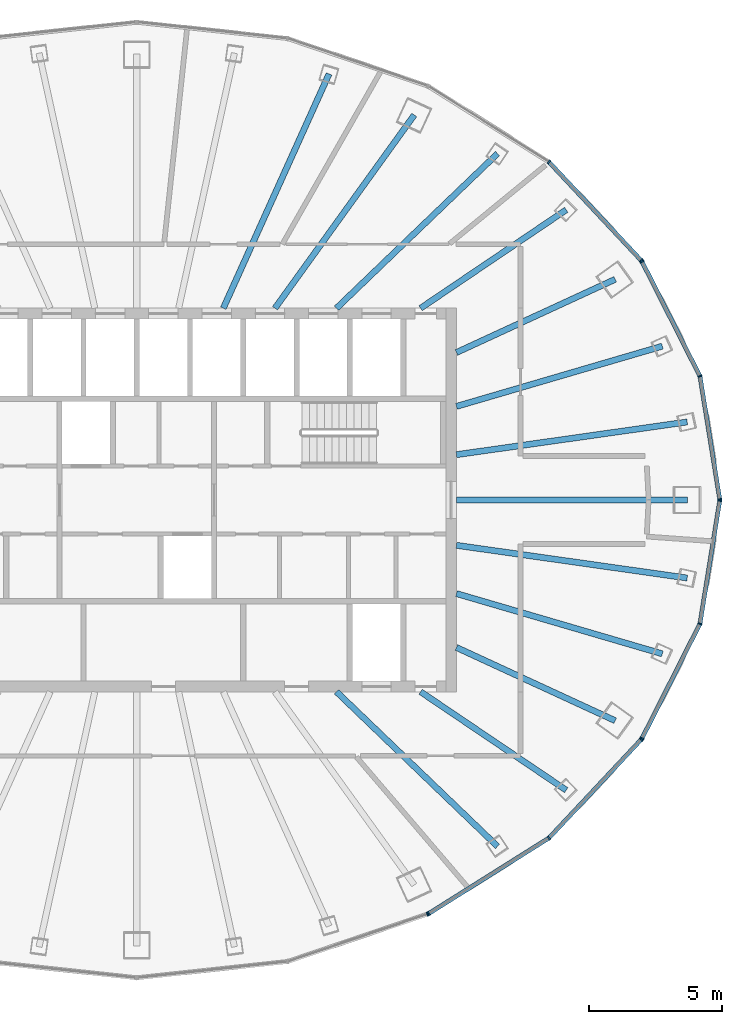
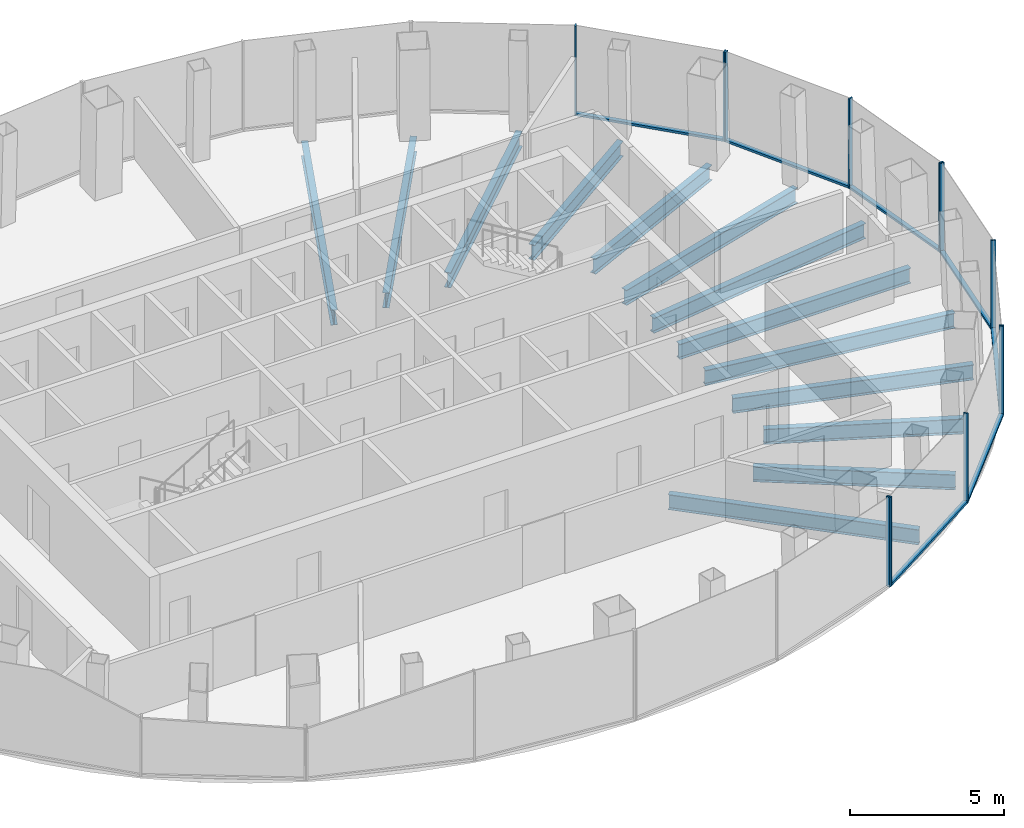
# One storey, part 5 of 11: 19 members, 13 beams, 5 elements without a shape of their own.
"""IFC4 building model written with IfcOpenShell, lengths in metres."""

from ifc_helpers import new_model, si_unit, direction, frame, origin, origin_2d, place, context, subcontext, project, spatial, rectangle, i_section, extrude, material, layer, layer_set, material_profile, profile_set, type_object, element, aggregate, save


model = new_model("IFC4")

# Units and contexts
model_context = context("Model", 3, precision=1e-05, world=origin(), true_north=direction((0.0, 1.0)))
body_context = subcontext(model_context, "Body", "Model", "MODEL_VIEW")
ifc_project = project(units=[si_unit("LENGTHUNIT", "METRE"), si_unit("AREAUNIT", "SQUARE_METRE"), si_unit("VOLUMEUNIT", "CUBIC_METRE"), si_unit("PLANEANGLEUNIT", "RADIAN"), si_unit("MASSUNIT", "GRAM", prefix="KILO")], contexts=[model_context])

# Site, building, storey
site_placement = place(None, origin())
site = spatial("IfcSite", under=ifc_project, at=site_placement, CompositionType="ELEMENT")
building_placement = place(site_placement, origin())
building = spatial("IfcBuilding", under=site, at=building_placement, Name="Siaravel Broadcast Tower", CompositionType="ELEMENT")
storey_placement = place(building_placement, frame((0.0, 0.0, 224.5)))
storey = spatial("IfcBuildingStorey", under=building, at=storey_placement, Name="L54", CompositionType="ELEMENT", Elevation=224.5)

# Beams
ifc_material_1 = material(Name="Steel S355", Category="steel")
ifc_material_profile_1 = material_profile(ifc_material_1, i_section(OverallWidth=0.2275390625, OverallDepth=0.6025390625, WebThickness=0.010498046875, FlangeThickness=0.014892578125, FilletRadius=0.0126953125, at=origin_2d()))
ifc_profile_set_1 = profile_set([ifc_material_profile_1], Name="Steel S355")
beam_type = type_object("IfcBeamType", Name="BM-UB 610x229x101", PredefinedType="BEAM", material=ifc_profile_set_1)
beam_1_placement = place(storey_placement, frame((20.672119140625, 0.0, -0.451416015625), z_axis=(-1.0, 0.0, 0.0), x_axis=(0.0, -1.0, 0.0)))
element("IfcBeam", 1, at=beam_1_placement, inside=storey, type_object=beam_type, Name="Radial beam RB01", PredefinedType="BEAM", context=body_context, shape_type="SweptSolid", body=[
    extrude(i_section(OverallWidth=0.2275390625, OverallDepth=0.6025390625, WebThickness=0.010498046875, FlangeThickness=0.014892578125, FilletRadius=0.0126953125, at=origin_2d()), origin(), (0.0, 0.0, 1.0), 8.672119140625),
])
beam_2_placement = place(storey_placement, frame((20.6591796875, 2.928466796875, -0.451416015625), z_axis=(-0.990100782, -0.140358259, 0.0), x_axis=(0.140358259, -0.990100782, 0.0)))
element("IfcBeam", 2, at=beam_2_placement, inside=storey, type_object=beam_type, Name="Radial beam RB02", PredefinedType="BEAM", context=body_context, shape_type="SweptSolid", body=[
    extrude(i_section(OverallWidth=0.2275390625, OverallDepth=0.6025390625, WebThickness=0.010498046875, FlangeThickness=0.014892578125, FilletRadius=0.0126953125, at=origin_2d()), origin(), (0.0, 0.0, 1.0), 8.745849609375),
])
beam_3_placement = place(storey_placement, frame((19.72802734375, 5.774658203125, -0.451416015625), z_axis=(-0.959734018, -0.280910333, 0.0), x_axis=(0.280910333, -0.959734018, 0.0)))
element("IfcBeam", 3, at=beam_3_placement, inside=storey, type_object=beam_type, Name="Radial beam RB03", PredefinedType="BEAM", context=body_context, shape_type="SweptSolid", body=[
    extrude(i_section(OverallWidth=0.2275390625, OverallDepth=0.6025390625, WebThickness=0.010498046875, FlangeThickness=0.014892578125, FilletRadius=0.0126953125, at=origin_2d()), origin(), (0.0, 0.0, 1.0), 8.05224609375),
])
beam_4_placement = place(storey_placement, frame((17.9560546875, 8.283203125, -0.451416015625), z_axis=(-0.908039983, -0.418883504, 0.0), x_axis=(0.418883504, -0.908039983, 0.0)))
element("IfcBeam", 4, at=beam_4_placement, inside=storey, type_object=beam_type, Name="Radial beam RB04", PredefinedType="BEAM", context=body_context, shape_type="SweptSolid", body=[
    extrude(i_section(OverallWidth=0.2275390625, OverallDepth=0.6025390625, WebThickness=0.010498046875, FlangeThickness=0.014892578125, FilletRadius=0.0126953125, at=origin_2d()), origin(), (0.0, 0.0, 1.0), 6.559326171875),
])
beam_5_placement = place(storey_placement, frame((16.11962890625, 10.890869140625, -0.451416015625), z_axis=(-0.828604754, -0.559834048, 0.0), x_axis=(0.559834048, -0.828604754, 0.0)))
element("IfcBeam", 5, at=beam_5_placement, inside=storey, type_object=beam_type, Name="Radial beam RB05", PredefinedType="BEAM", context=body_context, shape_type="SweptSolid", body=[
    extrude(i_section(OverallWidth=0.2275390625, OverallDepth=0.6025390625, WebThickness=0.010498046875, FlangeThickness=0.014892578125, FilletRadius=0.0126953125, at=origin_2d()), origin(), (0.0, 0.0, 1.0), 6.5927734375),
])
beam_6_placement = place(storey_placement, frame((13.541748046875, 13.002197265625, -0.451416015625), z_axis=(-0.721327918, -0.692593701, 0.0), x_axis=(0.692593701, -0.721327918, 0.0)))
element("IfcBeam", 6, at=beam_6_placement, inside=storey, type_object=beam_type, Name="Radial beam RB06", PredefinedType="BEAM", context=body_context, shape_type="SweptSolid", body=[
    extrude(i_section(OverallWidth=0.2275390625, OverallDepth=0.6025390625, WebThickness=0.010498046875, FlangeThickness=0.014892578125, FilletRadius=0.0126953125, at=origin_2d()), origin(), (0.0, 0.0, 1.0), 8.37744140625),
])
beam_7_placement = place(storey_placement, frame((10.415771484375, 14.4501953125, -0.451416015625), z_axis=(-0.58473929, -0.811221279, 0.0), x_axis=(0.811221279, -0.58473929, 0.0)))
element("IfcBeam", 7, at=beam_7_placement, inside=storey, type_object=beam_type, Name="Radial beam RB07", PredefinedType="BEAM", context=body_context, shape_type="SweptSolid", body=[
    extrude(i_section(OverallWidth=0.2275390625, OverallDepth=0.6025390625, WebThickness=0.010498046875, FlangeThickness=0.014892578125, FilletRadius=0.0126953125, at=origin_2d()), origin(), (0.0, 0.0, 1.0), 8.9375),
])
beam_8_placement = place(storey_placement, frame((7.218017578125, 15.99169921875, -0.451416015625), z_axis=(-0.41139683, -0.911456334, 0.0), x_axis=(0.911456334, -0.41139683, 0.0)))
element("IfcBeam", 8, at=beam_8_placement, inside=storey, type_object=beam_type, Name="Radial beam RB08", PredefinedType="BEAM", context=body_context, shape_type="SweptSolid", body=[
    extrude(i_section(OverallWidth=0.2275390625, OverallDepth=0.6025390625, WebThickness=0.010498046875, FlangeThickness=0.014892578125, FilletRadius=0.0126953125, at=origin_2d()), origin(), (0.0, 0.0, 1.0), 9.645751953125),
])
beam_9_placement = place(storey_placement, frame((13.541748046875, -13.002197265625, -0.451416015625), z_axis=(-0.721327918, 0.692593701, 0.0), x_axis=(-0.692593701, -0.721327918, 0.0)))
element("IfcBeam", 9, at=beam_9_placement, inside=storey, type_object=beam_type, Name="Radial beam RB32", PredefinedType="BEAM", context=body_context, shape_type="SweptSolid", body=[
    extrude(i_section(OverallWidth=0.2275390625, OverallDepth=0.6025390625, WebThickness=0.010498046875, FlangeThickness=0.014892578125, FilletRadius=0.0126953125, at=origin_2d()), origin(), (0.0, 0.0, 1.0), 8.37744140625),
])
beam_10_placement = place(storey_placement, frame((16.11962890625, -10.890869140625, -0.451416015625), z_axis=(-0.828604754, 0.559834048, 0.0), x_axis=(-0.559834048, -0.828604754, 0.0)))
element("IfcBeam", 10, at=beam_10_placement, inside=storey, type_object=beam_type, Name="Radial beam RB33", PredefinedType="BEAM", context=body_context, shape_type="SweptSolid", body=[
    extrude(i_section(OverallWidth=0.2275390625, OverallDepth=0.6025390625, WebThickness=0.010498046875, FlangeThickness=0.014892578125, FilletRadius=0.0126953125, at=origin_2d()), origin(), (0.0, 0.0, 1.0), 6.5927734375),
])
beam_11_placement = place(storey_placement, frame((17.9560546875, -8.283203125, -0.451416015625), z_axis=(-0.908039983, 0.418883504, 0.0), x_axis=(-0.418883504, -0.908039983, 0.0)))
element("IfcBeam", 11, at=beam_11_placement, inside=storey, type_object=beam_type, Name="Radial beam RB34", PredefinedType="BEAM", context=body_context, shape_type="SweptSolid", body=[
    extrude(i_section(OverallWidth=0.2275390625, OverallDepth=0.6025390625, WebThickness=0.010498046875, FlangeThickness=0.014892578125, FilletRadius=0.0126953125, at=origin_2d()), origin(), (0.0, 0.0, 1.0), 6.559326171875),
])
beam_12_placement = place(storey_placement, frame((19.72802734375, -5.774658203125, -0.451416015625), z_axis=(-0.959734018, 0.280910333, 0.0), x_axis=(-0.280910333, -0.959734018, 0.0)))
element("IfcBeam", 12, at=beam_12_placement, inside=storey, type_object=beam_type, Name="Radial beam RB35", PredefinedType="BEAM", context=body_context, shape_type="SweptSolid", body=[
    extrude(i_section(OverallWidth=0.2275390625, OverallDepth=0.6025390625, WebThickness=0.010498046875, FlangeThickness=0.014892578125, FilletRadius=0.0126953125, at=origin_2d()), origin(), (0.0, 0.0, 1.0), 8.05224609375),
])
beam_13_placement = place(storey_placement, frame((20.6591796875, -2.928466796875, -0.451416015625), z_axis=(-0.990100782, 0.140358259, 0.0), x_axis=(-0.140358259, -0.990100782, 0.0)))
element("IfcBeam", 13, at=beam_13_placement, inside=storey, type_object=beam_type, Name="Radial beam RB36", PredefinedType="BEAM", context=body_context, shape_type="SweptSolid", body=[
    extrude(i_section(OverallWidth=0.2275390625, OverallDepth=0.6025390625, WebThickness=0.010498046875, FlangeThickness=0.014892578125, FilletRadius=0.0126953125, at=origin_2d()), origin(), (0.0, 0.0, 1.0), 8.745849609375),
])

# Curtain wall, members
ifc_material_2 = material(Name="Aluminium 6063-T6", Category="aluminium")
ifc_layer = layer(ifc_material_2, 0.159912109375)
ifc_layer_set = layer_set([ifc_layer], Name="Aluminium 6063-T6")
curtain_wall_type = type_object("IfcCurtainWallType", Name="Unitised curtain wall, zone 4", PredefinedType="NOTDEFINED", material=ifc_layer_set)
curtain_wall_1_placement = place(storey_placement, origin())
curtain_wall_1 = element("IfcCurtainWall", 14, at=curtain_wall_1_placement, inside=storey, type_object=curtain_wall_type, Name="L54 Unitised curtain wall, zone 4 01", PredefinedType="NOTDEFINED")
ifc_material_profile_2 = material_profile(ifc_material_2, rectangle(XDim=0.159912109375, YDim=0.054931640625, at=origin_2d()))
ifc_profile_set_2 = profile_set([ifc_material_profile_2], Name="Aluminium 6063-T6")
member_type_1 = type_object("IfcMemberType", Name="CW-Z4 mullion", PredefinedType="MULLION", material=ifc_profile_set_2)
member_1_placement = place(storey_placement, frame((21.8818359375, 0.027099609375, 0.0), z_axis=(0.0, 0.0, 1.0), x_axis=(-0.987329271, -0.158684943, 0.0)))
member_1 = element("IfcMember", 15, at=member_1_placement, type_object=member_type_1, Name="CW-Z4 mullion 1", PredefinedType="MULLION", context=body_context, shape_type="SweptSolid", body=[
    extrude(rectangle(XDim=0.159912109375, YDim=0.054931640625, at=origin_2d()), origin(), (0.0, 0.0, 1.0), 3.550048828125),
])
member_2_placement = place(storey_placement, frame((21.1396484375, 4.64501953125, 0.0), z_axis=(0.0, 0.0, 1.0), x_axis=(-0.951177504, -0.308644385, 0.0)))
member_2 = element("IfcMember", 16, at=member_2_placement, type_object=member_type_1, Name="CW-Z4 mullion 2", PredefinedType="MULLION", context=body_context, shape_type="SweptSolid", body=[
    extrude(rectangle(XDim=0.159912109375, YDim=0.054931640625, at=origin_2d()), origin(), (0.0, 0.0, 1.0), 3.550048828125),
])
member_3_placement = place(storey_placement, frame((18.964111328125, 8.947509765625, 0.0), z_axis=(0.0, 0.0, 1.0), x_axis=(-0.892392673, -0.451259701, 0.0)))
member_3 = element("IfcMember", 17, at=member_3_placement, type_object=member_type_1, Name="CW-Z4 mullion 3", PredefinedType="MULLION", context=body_context, shape_type="SweptSolid", body=[
    extrude(rectangle(XDim=0.159912109375, YDim=0.054931640625, at=origin_2d()), origin(), (0.0, 0.0, 1.0), 3.550048828125),
])

curtain_wall_2_placement = place(storey_placement, origin())
curtain_wall_2 = element("IfcCurtainWall", 18, at=curtain_wall_2_placement, inside=storey, type_object=curtain_wall_type, Name="L54 Unitised curtain wall, zone 4 02", PredefinedType="NOTDEFINED")
member_4_placement = place(storey_placement, frame((18.932861328125, 8.991943359375, 0.0), z_axis=(0.0, 0.0, 1.0), x_axis=(-0.729806178, -0.68365411, 0.0)))
member_4 = element("IfcMember", 19, at=member_4_placement, type_object=member_type_1, Name="CW-Z4 mullion 1", PredefinedType="MULLION", context=body_context, shape_type="SweptSolid", body=[
    extrude(rectangle(XDim=0.159912109375, YDim=0.054931640625, at=origin_2d()), origin(), (0.0, 0.0, 1.0), 3.550048828125),
])
member_5_placement = place(storey_placement, frame((15.47216796875, 12.686279296875, 0.0), z_axis=(0.0, 0.0, 1.0), x_axis=(-0.636219575, -0.771508038, 0.0)))
member_5 = element("IfcMember", 20, at=member_5_placement, type_object=member_type_1, Name="CW-Z4 mullion 2", PredefinedType="MULLION", context=body_context, shape_type="SweptSolid", body=[
    extrude(rectangle(XDim=0.159912109375, YDim=0.054931640625, at=origin_2d()), origin(), (0.0, 0.0, 1.0), 3.550048828125),
])

# Curtain wall, member
curtain_wall_3_placement = place(storey_placement, origin())
curtain_wall_3 = element("IfcCurtainWall", 21, at=curtain_wall_3_placement, inside=storey, type_object=curtain_wall_type, Name="L54 Unitised curtain wall, zone 4 10", PredefinedType="NOTDEFINED")
member_6_placement = place(storey_placement, frame((10.913330078125, -15.5439453125, 0.0), z_axis=(0.0, 0.0, 1.0), x_axis=(-0.321301242, 0.946977039, 0.0)))
member_6 = element("IfcMember", 22, at=member_6_placement, type_object=member_type_1, Name="CW-Z4 mullion 3", PredefinedType="MULLION", context=body_context, shape_type="SweptSolid", body=[
    extrude(rectangle(XDim=0.159912109375, YDim=0.054931640625, at=origin_2d()), origin(), (0.0, 0.0, 1.0), 3.550048828125),
])
aggregate(curtain_wall_3, [member_6])

# Curtain wall, members
curtain_wall_4_placement = place(storey_placement, origin())
curtain_wall_4 = element("IfcCurtainWall", 23, at=curtain_wall_4_placement, inside=storey, type_object=curtain_wall_type, Name="L54 Unitised curtain wall, zone 4 11", PredefinedType="NOTDEFINED")
member_7_placement = place(storey_placement, frame((10.962890625, -15.5205078125, 0.0), z_axis=(0.0, 0.0, 1.0), x_axis=(-0.53215013, 0.84665001, 0.0)))
member_7 = element("IfcMember", 24, at=member_7_placement, type_object=member_type_1, Name="CW-Z4 mullion 1", PredefinedType="MULLION", context=body_context, shape_type="SweptSolid", body=[
    extrude(rectangle(XDim=0.159912109375, YDim=0.054931640625, at=origin_2d()), origin(), (0.0, 0.0, 1.0), 3.550048828125),
])
member_8_placement = place(storey_placement, frame((15.47216796875, -12.686279296875, 0.0), z_axis=(0.0, 0.0, 1.0), x_axis=(-0.636219575, 0.771508038, 0.0)))
member_8 = element("IfcMember", 25, at=member_8_placement, type_object=member_type_1, Name="CW-Z4 mullion 2", PredefinedType="MULLION", context=body_context, shape_type="SweptSolid", body=[
    extrude(rectangle(XDim=0.159912109375, YDim=0.054931640625, at=origin_2d()), origin(), (0.0, 0.0, 1.0), 3.550048828125),
])
member_9_placement = place(storey_placement, frame((18.932861328125, -8.991943359375, 0.0), z_axis=(0.0, 0.0, 1.0), x_axis=(-0.729806178, 0.68365411, 0.0)))
member_9 = element("IfcMember", 26, at=member_9_placement, type_object=member_type_1, Name="CW-Z4 mullion 3", PredefinedType="MULLION", context=body_context, shape_type="SweptSolid", body=[
    extrude(rectangle(XDim=0.159912109375, YDim=0.054931640625, at=origin_2d()), origin(), (0.0, 0.0, 1.0), 3.550048828125),
])

curtain_wall_5_placement = place(storey_placement, origin())
curtain_wall_5 = element("IfcCurtainWall", 27, at=curtain_wall_5_placement, inside=storey, type_object=curtain_wall_type, Name="L54 Unitised curtain wall, zone 4 12", PredefinedType="NOTDEFINED")
member_10_placement = place(storey_placement, frame((18.964111328125, -8.947509765625, 0.0), z_axis=(0.0, 0.0, 1.0), x_axis=(-0.892392673, 0.451259701, 0.0)))
member_10 = element("IfcMember", 28, at=member_10_placement, type_object=member_type_1, Name="CW-Z4 mullion 1", PredefinedType="MULLION", context=body_context, shape_type="SweptSolid", body=[
    extrude(rectangle(XDim=0.159912109375, YDim=0.054931640625, at=origin_2d()), origin(), (0.0, 0.0, 1.0), 3.550048828125),
])
member_11_placement = place(storey_placement, frame((21.1396484375, -4.64501953125, 0.0), z_axis=(0.0, 0.0, 1.0), x_axis=(-0.951177504, 0.308644385, 0.0)))
member_11 = element("IfcMember", 29, at=member_11_placement, type_object=member_type_1, Name="CW-Z4 mullion 2", PredefinedType="MULLION", context=body_context, shape_type="SweptSolid", body=[
    extrude(rectangle(XDim=0.159912109375, YDim=0.054931640625, at=origin_2d()), origin(), (0.0, 0.0, 1.0), 3.550048828125),
])
member_12_placement = place(storey_placement, frame((21.8818359375, -0.027099609375, 0.0), z_axis=(0.0, 0.0, 1.0), x_axis=(-0.987329271, 0.158684943, 0.0)))
member_12 = element("IfcMember", 30, at=member_12_placement, type_object=member_type_1, Name="CW-Z4 mullion 3", PredefinedType="MULLION", context=body_context, shape_type="SweptSolid", body=[
    extrude(rectangle(XDim=0.159912109375, YDim=0.054931640625, at=origin_2d()), origin(), (0.0, 0.0, 1.0), 3.550048828125),
])

# Member
ifc_material_profile_3 = material_profile(ifc_material_2, rectangle(XDim=0.159912109375, YDim=0.090087890625, at=origin_2d()))
ifc_profile_set_3 = profile_set([ifc_material_profile_3], Name="Aluminium 6063-T6")
member_type_2 = type_object("IfcMemberType", Name="CW-Z4 transom", PredefinedType="USERDEFINED", material=ifc_profile_set_3)
member_13_placement = place(storey_placement, frame((21.87744140625, 0.05419921875, 0.044921875), z_axis=(-0.158674417, 0.987330962, 0.0), x_axis=(-0.987330962, -0.158674417, 0.0)))
member_13 = element("IfcMember", 31, at=member_13_placement, type_object=member_type_2, Name="CW-Z4 transom 1", ObjectType="TRANSOM", PredefinedType="USERDEFINED", context=body_context, shape_type="SweptSolid", body=[
    extrude(rectangle(XDim=0.159912109375, YDim=0.090087890625, at=origin_2d()), origin(), (0.0, 0.0, 1.0), 4.6220703125),
])

member_14_placement = place(storey_placement, frame((21.127197265625, 4.66943359375, 0.044921875), z_axis=(-0.451265777, 0.8923896, 0.0), x_axis=(-0.8923896, -0.451265777, 0.0)))
member_14 = element("IfcMember", 32, at=member_14_placement, type_object=member_type_2, Name="CW-Z4 transom 2", ObjectType="TRANSOM", PredefinedType="USERDEFINED", context=body_context, shape_type="SweptSolid", body=[
    extrude(rectangle(XDim=0.159912109375, YDim=0.090087890625, at=origin_2d()), origin(), (0.0, 0.0, 1.0), 4.766357421875),
])

aggregate(curtain_wall_1, [member_1, member_2, member_3, member_13, member_14])

member_15_placement = place(storey_placement, frame((18.9140625, 9.01220703125, 0.044921875), z_axis=(-0.683691298, 0.72977134, 0.0), x_axis=(-0.72977134, -0.683691298, 0.0)))
member_15 = element("IfcMember", 33, at=member_15_placement, type_object=member_type_2, Name="CW-Z4 transom 1", ObjectType="TRANSOM", PredefinedType="USERDEFINED", context=body_context, shape_type="SweptSolid", body=[
    extrude(rectangle(XDim=0.159912109375, YDim=0.090087890625, at=origin_2d()), origin(), (0.0, 0.0, 1.0), 5.0068359375),
])

aggregate(curtain_wall_2, [member_4, member_5, member_15])

member_16_placement = place(storey_placement, frame((10.986083984375, -15.505859375, 0.044921875), z_axis=(0.846642511, 0.53216206, 0.0), x_axis=(-0.53216206, 0.846642511, 0.0)))
member_16 = element("IfcMember", 34, at=member_16_placement, type_object=member_type_2, Name="CW-Z4 transom 1", ObjectType="TRANSOM", PredefinedType="USERDEFINED", context=body_context, shape_type="SweptSolid", body=[
    extrude(rectangle(XDim=0.159912109375, YDim=0.090087890625, at=origin_2d()), origin(), (0.0, 0.0, 1.0), 5.271240234375),
])

member_17_placement = place(storey_placement, frame((15.490966796875, -12.666015625, 0.044921875), z_axis=(0.683691298, 0.72977134, 0.0), x_axis=(-0.72977134, 0.683691298, 0.0)))
member_17 = element("IfcMember", 35, at=member_17_placement, type_object=member_type_2, Name="CW-Z4 transom 2", ObjectType="TRANSOM", PredefinedType="USERDEFINED", context=body_context, shape_type="SweptSolid", body=[
    extrude(rectangle(XDim=0.159912109375, YDim=0.090087890625, at=origin_2d()), origin(), (0.0, 0.0, 1.0), 5.0068359375),
])

aggregate(curtain_wall_4, [member_7, member_8, member_9, member_16, member_17])

member_18_placement = place(storey_placement, frame((18.976318359375, -8.9228515625, 0.044921875), z_axis=(0.451265777, 0.8923896, 0.0), x_axis=(-0.8923896, 0.451265777, 0.0)))
member_18 = element("IfcMember", 36, at=member_18_placement, type_object=member_type_2, Name="CW-Z4 transom 1", ObjectType="TRANSOM", PredefinedType="USERDEFINED", context=body_context, shape_type="SweptSolid", body=[
    extrude(rectangle(XDim=0.159912109375, YDim=0.090087890625, at=origin_2d()), origin(), (0.0, 0.0, 1.0), 4.766357421875),
])

member_19_placement = place(storey_placement, frame((21.14404296875, -4.61767578125, 0.044921875), z_axis=(0.158674417, 0.987330962, 0.0), x_axis=(-0.987330962, 0.158674417, 0.0)))
member_19 = element("IfcMember", 37, at=member_19_placement, type_object=member_type_2, Name="CW-Z4 transom 2", ObjectType="TRANSOM", PredefinedType="USERDEFINED", context=body_context, shape_type="SweptSolid", body=[
    extrude(rectangle(XDim=0.159912109375, YDim=0.090087890625, at=origin_2d()), origin(), (0.0, 0.0, 1.0), 4.6220703125),
])

aggregate(curtain_wall_5, [member_10, member_11, member_12, member_18, member_19])

save(model, "model.ifc")
